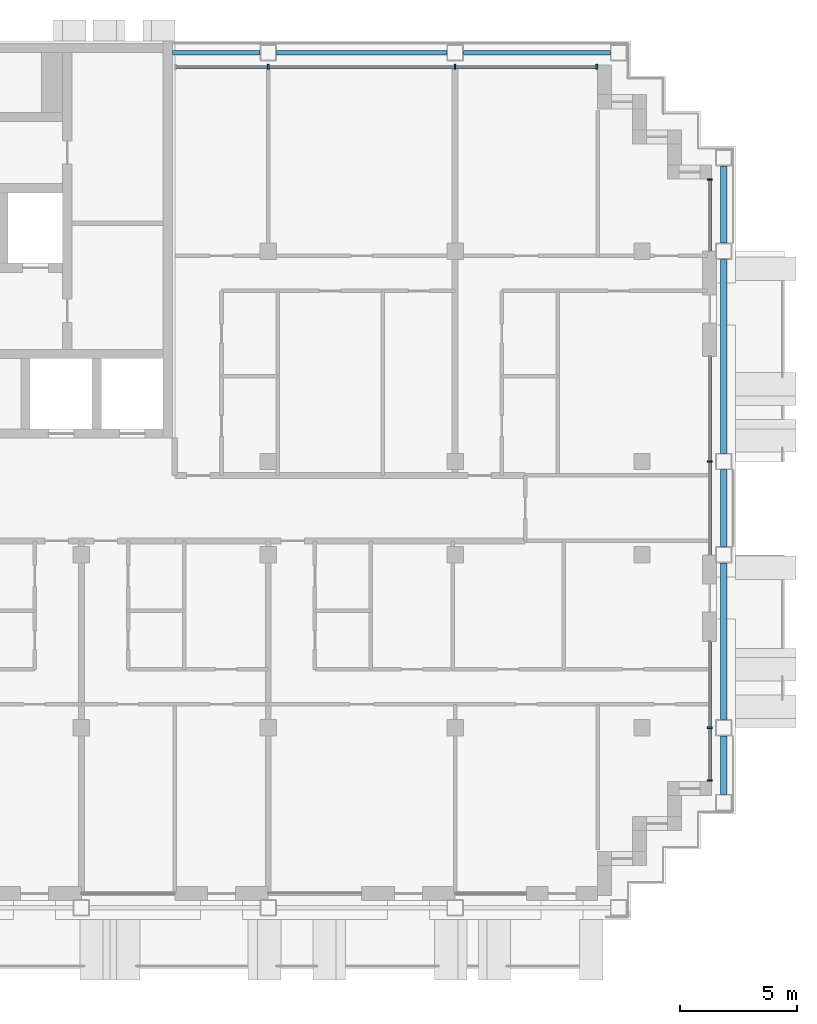
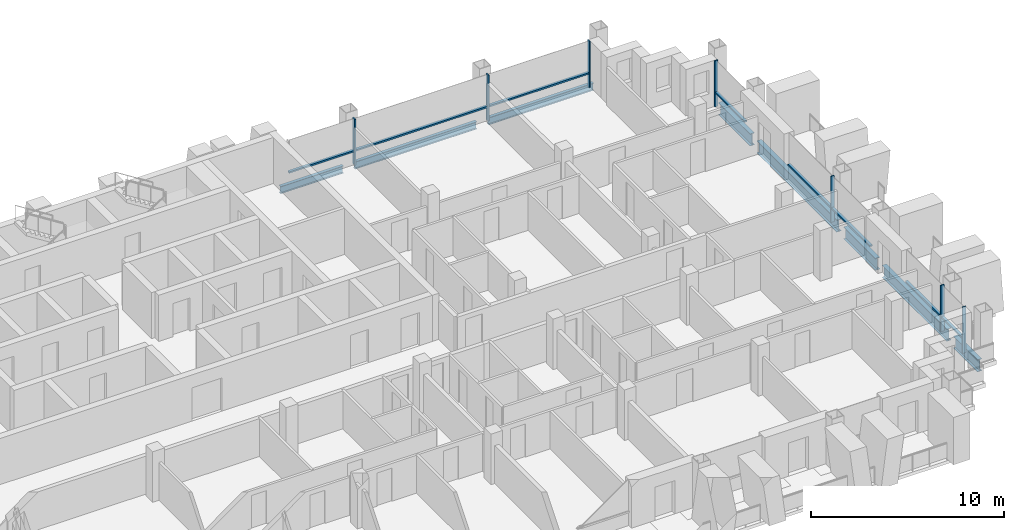
# One storey, part 5 of 16: 15 members, 8 beams, 4 elements without a shape of their own.
"""IFC4 building model written with IfcOpenShell, lengths in metres."""

from ifc_helpers import new_model, si_unit, direction, frame, origin, origin_2d, place, context, subcontext, project, spatial, rectangle, i_section, extrude, material, material_profile, profile_set, type_object, element, aggregate, save


model = new_model("IFC4")

# Units and contexts
model_context = context("Model", 3, precision=1e-05, world=origin(), true_north=direction((0.0, 1.0)))
body_context = subcontext(model_context, "Body", "Model", "MODEL_VIEW")
ifc_project = project(units=[si_unit("LENGTHUNIT", "METRE"), si_unit("AREAUNIT", "SQUARE_METRE"), si_unit("VOLUMEUNIT", "CUBIC_METRE"), si_unit("PLANEANGLEUNIT", "RADIAN"), si_unit("MASSUNIT", "GRAM", prefix="KILO")], contexts=[model_context])

# Site, building, storey
site_placement = place(None, origin())
site = spatial("IfcSite", under=ifc_project, at=site_placement, CompositionType="ELEMENT")
building_placement = place(site_placement, origin())
building = spatial("IfcBuilding", under=site, at=building_placement, Name="Vidyagriha Tower", CompositionType="ELEMENT")
storey_placement = place(building_placement, frame((0.0, 0.0, 184.5)))
storey = spatial("IfcBuildingStorey", under=building, at=storey_placement, Name="L48", CompositionType="ELEMENT", Elevation=184.5)

# Beams
ifc_material_1 = material(Name="Steel ASTM A992 Grade 50", Category="steel")
ifc_material_profile_1 = material_profile(ifc_material_1, i_section(OverallWidth=0.2666015625, OverallDepth=0.76953125, WebThickness=0.015625, FlangeThickness=0.025390625, at=origin_2d()), Name="W30X132")
ifc_profile_set_1 = profile_set([ifc_material_profile_1], Name="Steel ASTM A992 Grade 50")
beam_type_1 = type_object("IfcBeamType", Name="Cantilever edge beam W30X132", PredefinedType="SPANDREL", material=ifc_profile_set_1)
beam_1_placement = place(storey_placement, frame((37.5, -12.25, -0.664794921875), z_axis=(0.0, 1.0, 0.0), x_axis=(-1.0, 0.0, 0.0)))
element("IfcBeam", 1, at=beam_1_placement, inside=storey, type_object=beam_type_1, Name="st-beam-L48-E13", PredefinedType="SPANDREL", context=body_context, shape_type="SweptSolid", body=[
    extrude(i_section(OverallWidth=0.2666015625, OverallDepth=0.76953125, WebThickness=0.015625, FlangeThickness=0.025390625, at=origin_2d()), origin(), (0.0, 0.0, 1.0), 2.5),
])
beam_2_placement = place(storey_placement, frame((37.5, -9.050048828125, -0.664794921875), z_axis=(0.0, 1.0, 0.0), x_axis=(-1.0, 0.0, 0.0)))
element("IfcBeam", 2, at=beam_2_placement, inside=storey, type_object=beam_type_1, Name="st-beam-L48-E14", PredefinedType="SPANDREL", context=body_context, shape_type="SweptSolid", body=[
    extrude(i_section(OverallWidth=0.2666015625, OverallDepth=0.76953125, WebThickness=0.015625, FlangeThickness=0.025390625, at=origin_2d()), origin(), (0.0, 0.0, 1.0), 6.699951171875),
])
beam_3_placement = place(storey_placement, frame((37.5, -1.64990234375, -0.664794921875), z_axis=(0.0, 1.0, 0.0), x_axis=(-1.0, 0.0, 0.0)))
element("IfcBeam", 3, at=beam_3_placement, inside=storey, type_object=beam_type_1, Name="st-beam-L48-E15", PredefinedType="SPANDREL", context=body_context, shape_type="SweptSolid", body=[
    extrude(i_section(OverallWidth=0.2666015625, OverallDepth=0.76953125, WebThickness=0.015625, FlangeThickness=0.025390625, at=origin_2d()), origin(), (0.0, 0.0, 1.0), 3.2998046875),
])
beam_4_placement = place(storey_placement, frame((37.5, 2.35009765625, -0.664794921875), z_axis=(0.0, 1.0, 0.0), x_axis=(-1.0, 0.0, 0.0)))
element("IfcBeam", 4, at=beam_4_placement, inside=storey, type_object=beam_type_1, Name="st-beam-L48-E16", PredefinedType="SPANDREL", context=body_context, shape_type="SweptSolid", body=[
    extrude(i_section(OverallWidth=0.2666015625, OverallDepth=0.76953125, WebThickness=0.015625, FlangeThickness=0.025390625, at=origin_2d()), origin(), (0.0, 0.0, 1.0), 8.2998046875),
])
beam_5_placement = place(storey_placement, frame((37.5, 11.35009765625, -0.664794921875), z_axis=(0.0, 1.0, 0.0), x_axis=(-1.0, 0.0, 0.0)))
element("IfcBeam", 5, at=beam_5_placement, inside=storey, type_object=beam_type_1, Name="st-beam-L48-E17", PredefinedType="SPANDREL", context=body_context, shape_type="SweptSolid", body=[
    extrude(i_section(OverallWidth=0.2666015625, OverallDepth=0.76953125, WebThickness=0.015625, FlangeThickness=0.025390625, at=origin_2d()), origin(), (0.0, 0.0, 1.0), 3.2998046875),
])
ifc_material_2 = material(Name="Steel ASTM A992 Grade 50", Category="steel")
ifc_material_profile_2 = material_profile(ifc_material_2, i_section(OverallWidth=0.19189453125, OverallDepth=0.46240234375, WebThickness=0.010498046875, FlangeThickness=0.017578125, at=origin_2d()), Name="W18X60")
ifc_profile_set_2 = profile_set([ifc_material_profile_2], Name="Steel ASTM A992 Grade 50")
beam_type_2 = type_object("IfcBeamType", Name="Edge beam W18X60", PredefinedType="SPANDREL", material=ifc_profile_set_2)
beam_6_placement = place(storey_placement, frame((18.35009765625, 19.5, -0.51123046875), z_axis=(1.0, 0.0, 0.0), x_axis=(0.0, 1.0, 0.0)))
element("IfcBeam", 6, at=beam_6_placement, inside=storey, type_object=beam_type_2, Name="st-beam-L48-NE18", PredefinedType="SPANDREL", context=body_context, shape_type="SweptSolid", body=[
    extrude(i_section(OverallWidth=0.19189453125, OverallDepth=0.46240234375, WebThickness=0.010498046875, FlangeThickness=0.017578125, at=origin_2d()), origin(), (0.0, 0.0, 1.0), 7.2998046875),
])
beam_7_placement = place(storey_placement, frame((26.35009765625, 19.5, -0.51123046875), z_axis=(1.0, 0.0, 0.0), x_axis=(0.0, 1.0, 0.0)))
element("IfcBeam", 7, at=beam_7_placement, inside=storey, type_object=beam_type_2, Name="st-beam-L48-NE19", PredefinedType="SPANDREL", context=body_context, shape_type="SweptSolid", body=[
    extrude(i_section(OverallWidth=0.19189453125, OverallDepth=0.46240234375, WebThickness=0.010498046875, FlangeThickness=0.017578125, at=origin_2d()), origin(), (0.0, 0.0, 1.0), 6.2998046875),
])
beam_8_placement = place(storey_placement, frame((13.89990234375, 19.5, -0.51123046875), z_axis=(1.0, 0.0, 0.0), x_axis=(0.0, 1.0, 0.0)))
element("IfcBeam", 8, at=beam_8_placement, inside=storey, type_object=beam_type_2, Name="st-beam-L48-NC21", PredefinedType="SPANDREL", context=body_context, shape_type="SweptSolid", body=[
    extrude(i_section(OverallWidth=0.19189453125, OverallDepth=0.46240234375, WebThickness=0.010498046875, FlangeThickness=0.017578125, at=origin_2d()), origin(), (0.0, 0.0, 1.0), 3.75),
])

# Curtain wall, members
ifc_material_3 = material(Name="Aluminium and glass curtain wall", Category="aluminium")
curtain_wall_type = type_object("IfcCurtainWallType", Name="Dwelling skin unitised curtain wall", PredefinedType="USERDEFINED", material=ifc_material_3)
curtain_wall_1_placement = place(storey_placement, origin())
curtain_wall_1 = element("IfcCurtainWall", 9, at=curtain_wall_1_placement, inside=storey, type_object=curtain_wall_type, Name="CW1 dwelling skin", ObjectType="UNITISED", PredefinedType="USERDEFINED")
ifc_material_4 = material(Name="Aluminium black anodised", Category="aluminium")
ifc_material_profile_3 = material_profile(ifc_material_4, rectangle(XDim=0.199951171875, YDim=0.070068359375, at=origin_2d()), Name="Mullion 70x200 black aluminium")
ifc_profile_set_3 = profile_set([ifc_material_profile_3], Name="Aluminium black anodised")
member_type_1 = type_object("IfcMemberType", Name="Mullion 70x200 black aluminium", PredefinedType="MULLION", material=ifc_profile_set_3)
member_1_placement = place(storey_placement, frame((32.06494140625, 18.89990234375, 0.0), z_axis=(0.0, 0.0, 1.0), x_axis=(0.0, -1.0, 0.0)))
member_1 = element("IfcMember", 10, at=member_1_placement, type_object=member_type_1, Name="CW1 mullion 1", PredefinedType="MULLION", context=body_context, shape_type="SweptSolid", body=[
    extrude(rectangle(XDim=0.199951171875, YDim=0.070068359375, at=origin_2d()), origin(), (0.0, 0.0, 1.0), 2.919921875),
])
member_2_placement = place(storey_placement, frame((26.0, 18.89990234375, 0.0), z_axis=(0.0, 0.0, 1.0), x_axis=(0.0, -1.0, 0.0)))
member_2 = element("IfcMember", 11, at=member_2_placement, type_object=member_type_1, Name="CW1 mullion 2", PredefinedType="MULLION", context=body_context, shape_type="SweptSolid", body=[
    extrude(rectangle(XDim=0.199951171875, YDim=0.070068359375, at=origin_2d()), origin(), (0.0, 0.0, 1.0), 2.919921875),
])
member_3_placement = place(storey_placement, frame((18.0, 18.89990234375, 0.0), z_axis=(0.0, 0.0, 1.0), x_axis=(0.0, -1.0, 0.0)))
member_3 = element("IfcMember", 12, at=member_3_placement, type_object=member_type_1, Name="CW1 mullion 3", PredefinedType="MULLION", context=body_context, shape_type="SweptSolid", body=[
    extrude(rectangle(XDim=0.199951171875, YDim=0.070068359375, at=origin_2d()), origin(), (0.0, 0.0, 1.0), 2.919921875),
])

curtain_wall_2_placement = place(storey_placement, origin())
curtain_wall_2 = element("IfcCurtainWall", 13, at=curtain_wall_2_placement, inside=storey, type_object=curtain_wall_type, Name="CW1 dwelling skin", ObjectType="UNITISED", PredefinedType="USERDEFINED")
member_4_placement = place(storey_placement, frame((36.89990234375, -11.6650390625, 0.0), z_axis=(0.0, 0.0, 1.0), x_axis=(-1.0, 0.0, 0.0)))
member_4 = element("IfcMember", 14, at=member_4_placement, type_object=member_type_1, Name="CW1 mullion 1", PredefinedType="MULLION", context=body_context, shape_type="SweptSolid", body=[
    extrude(rectangle(XDim=0.199951171875, YDim=0.070068359375, at=origin_2d()), origin(), (0.0, 0.0, 1.0), 2.919921875),
])
member_5_placement = place(storey_placement, frame((36.89990234375, -9.39990234375, 0.0), z_axis=(0.0, 0.0, 1.0), x_axis=(-1.0, 0.0, 0.0)))
member_5 = element("IfcMember", 15, at=member_5_placement, type_object=member_type_1, Name="CW1 mullion 2", PredefinedType="MULLION", context=body_context, shape_type="SweptSolid", body=[
    extrude(rectangle(XDim=0.199951171875, YDim=0.070068359375, at=origin_2d()), origin(), (0.0, 0.0, 1.0), 2.919921875),
])

# Curtain wall, member
curtain_wall_3_placement = place(storey_placement, origin())
curtain_wall_3 = element("IfcCurtainWall", 16, at=curtain_wall_3_placement, inside=storey, type_object=curtain_wall_type, Name="CW1 dwelling skin", ObjectType="UNITISED", PredefinedType="USERDEFINED")
member_6_placement = place(storey_placement, frame((36.89990234375, 2.0, 0.0), z_axis=(0.0, 0.0, 1.0), x_axis=(-1.0, 0.0, 0.0)))
member_6 = element("IfcMember", 17, at=member_6_placement, type_object=member_type_1, Name="CW1 mullion 2", PredefinedType="MULLION", context=body_context, shape_type="SweptSolid", body=[
    extrude(rectangle(XDim=0.199951171875, YDim=0.070068359375, at=origin_2d()), origin(), (0.0, 0.0, 1.0), 2.919921875),
])

curtain_wall_4_placement = place(storey_placement, origin())
curtain_wall_4 = element("IfcCurtainWall", 18, at=curtain_wall_4_placement, inside=storey, type_object=curtain_wall_type, Name="CW1 dwelling skin", ObjectType="UNITISED", PredefinedType="USERDEFINED")
member_7_placement = place(storey_placement, frame((36.89990234375, 14.06494140625, 0.0), z_axis=(0.0, 0.0, 1.0), x_axis=(-1.0, 0.0, 0.0)))
member_7 = element("IfcMember", 19, at=member_7_placement, type_object=member_type_1, Name="CW1 mullion 2", PredefinedType="MULLION", context=body_context, shape_type="SweptSolid", body=[
    extrude(rectangle(XDim=0.199951171875, YDim=0.070068359375, at=origin_2d()), origin(), (0.0, 0.0, 1.0), 2.919921875),
])

# Member
ifc_material_5 = material(Name="Aluminium black anodised", Category="aluminium")
ifc_material_profile_4 = material_profile(ifc_material_5, rectangle(XDim=0.159912109375, YDim=0.10009765625, at=origin_2d()), Name="Transom 100x160 black aluminium")
ifc_profile_set_4 = profile_set([ifc_material_profile_4], Name="Aluminium black anodised")
member_type_2 = type_object("IfcMemberType", Name="Transom 100x160 black aluminium", PredefinedType="USERDEFINED", material=ifc_profile_set_4)
member_8_placement = place(storey_placement, frame((32.030029296875, 18.89990234375, 0.89990234375), z_axis=(-1.0, 0.0, 0.0), x_axis=(0.0, -1.0, 0.0)))
member_8 = element("IfcMember", 20, at=member_8_placement, type_object=member_type_2, Name="CW1 transom 1.1", ObjectType="TRANSOM", PredefinedType="USERDEFINED", context=body_context, shape_type="SweptSolid", body=[
    extrude(rectangle(XDim=0.159912109375, YDim=0.10009765625, at=origin_2d()), origin(), (0.0, 0.0, 1.0), 5.9951171875),
])

member_9_placement = place(storey_placement, frame((25.965087890625, 18.89990234375, 0.89990234375), z_axis=(-1.0, 0.0, 0.0), x_axis=(0.0, -1.0, 0.0)))
member_9 = element("IfcMember", 21, at=member_9_placement, type_object=member_type_2, Name="CW1 transom 2.1", ObjectType="TRANSOM", PredefinedType="USERDEFINED", context=body_context, shape_type="SweptSolid", body=[
    extrude(rectangle(XDim=0.159912109375, YDim=0.10009765625, at=origin_2d()), origin(), (0.0, 0.0, 1.0), 7.93017578125),
])

member_10_placement = place(storey_placement, frame((17.965087890625, 18.89990234375, 0.89990234375), z_axis=(-1.0, 0.0, 0.0), x_axis=(0.0, -1.0, 0.0)))
member_10 = element("IfcMember", 22, at=member_10_placement, type_object=member_type_2, Name="CW1 transom 3.1", ObjectType="TRANSOM", PredefinedType="USERDEFINED", context=body_context, shape_type="SweptSolid", body=[
    extrude(rectangle(XDim=0.159912109375, YDim=0.10009765625, at=origin_2d()), origin(), (0.0, 0.0, 1.0), 3.89501953125),
])

aggregate(curtain_wall_1, [member_1, member_2, member_3, member_8, member_9, member_10])

member_11_placement = place(storey_placement, frame((36.89990234375, -11.6298828125, 0.89990234375), z_axis=(0.0, 1.0, 0.0), x_axis=(-1.0, 0.0, 0.0)))
member_11 = element("IfcMember", 23, at=member_11_placement, type_object=member_type_2, Name="CW1 transom 1.1", ObjectType="TRANSOM", PredefinedType="USERDEFINED", context=body_context, shape_type="SweptSolid", body=[
    extrude(rectangle(XDim=0.159912109375, YDim=0.10009765625, at=origin_2d()), origin(), (0.0, 0.0, 1.0), 2.19482421875),
])

member_12_placement = place(storey_placement, frame((36.89990234375, -9.364990234375, 0.89990234375), z_axis=(0.0, 1.0, 0.0), x_axis=(-1.0, 0.0, 0.0)))
member_12 = element("IfcMember", 24, at=member_12_placement, type_object=member_type_2, Name="CW1 transom 2.1", ObjectType="TRANSOM", PredefinedType="USERDEFINED", context=body_context, shape_type="SweptSolid", body=[
    extrude(rectangle(XDim=0.159912109375, YDim=0.10009765625, at=origin_2d()), origin(), (0.0, 0.0, 1.0), 3.6650390625),
])

aggregate(curtain_wall_2, [member_4, member_5, member_11, member_12])

member_13_placement = place(storey_placement, frame((36.89990234375, -2.0, 0.89990234375), z_axis=(0.0, 1.0, 0.0), x_axis=(-1.0, 0.0, 0.0)))
member_13 = element("IfcMember", 25, at=member_13_placement, type_object=member_type_2, Name="CW1 transom 1.1", ObjectType="TRANSOM", PredefinedType="USERDEFINED", context=body_context, shape_type="SweptSolid", body=[
    extrude(rectangle(XDim=0.159912109375, YDim=0.10009765625, at=origin_2d()), origin(), (0.0, 0.0, 1.0), 3.965087890625),
])

member_14_placement = place(storey_placement, frame((36.89990234375, 2.034912109375, 0.89990234375), z_axis=(0.0, 1.0, 0.0), x_axis=(-1.0, 0.0, 0.0)))
member_14 = element("IfcMember", 26, at=member_14_placement, type_object=member_type_2, Name="CW1 transom 2.1", ObjectType="TRANSOM", PredefinedType="USERDEFINED", context=body_context, shape_type="SweptSolid", body=[
    extrude(rectangle(XDim=0.159912109375, YDim=0.10009765625, at=origin_2d()), origin(), (0.0, 0.0, 1.0), 4.465087890625),
])

aggregate(curtain_wall_3, [member_6, member_13, member_14])

member_15_placement = place(storey_placement, frame((36.89990234375, 11.0, 0.89990234375), z_axis=(0.0, 1.0, 0.0), x_axis=(-1.0, 0.0, 0.0)))
member_15 = element("IfcMember", 27, at=member_15_placement, type_object=member_type_2, Name="CW1 transom 1.1", ObjectType="TRANSOM", PredefinedType="USERDEFINED", context=body_context, shape_type="SweptSolid", body=[
    extrude(rectangle(XDim=0.159912109375, YDim=0.10009765625, at=origin_2d()), origin(), (0.0, 0.0, 1.0), 3.030029296875),
])

aggregate(curtain_wall_4, [member_7, member_15])

save(model, "model.ifc")
